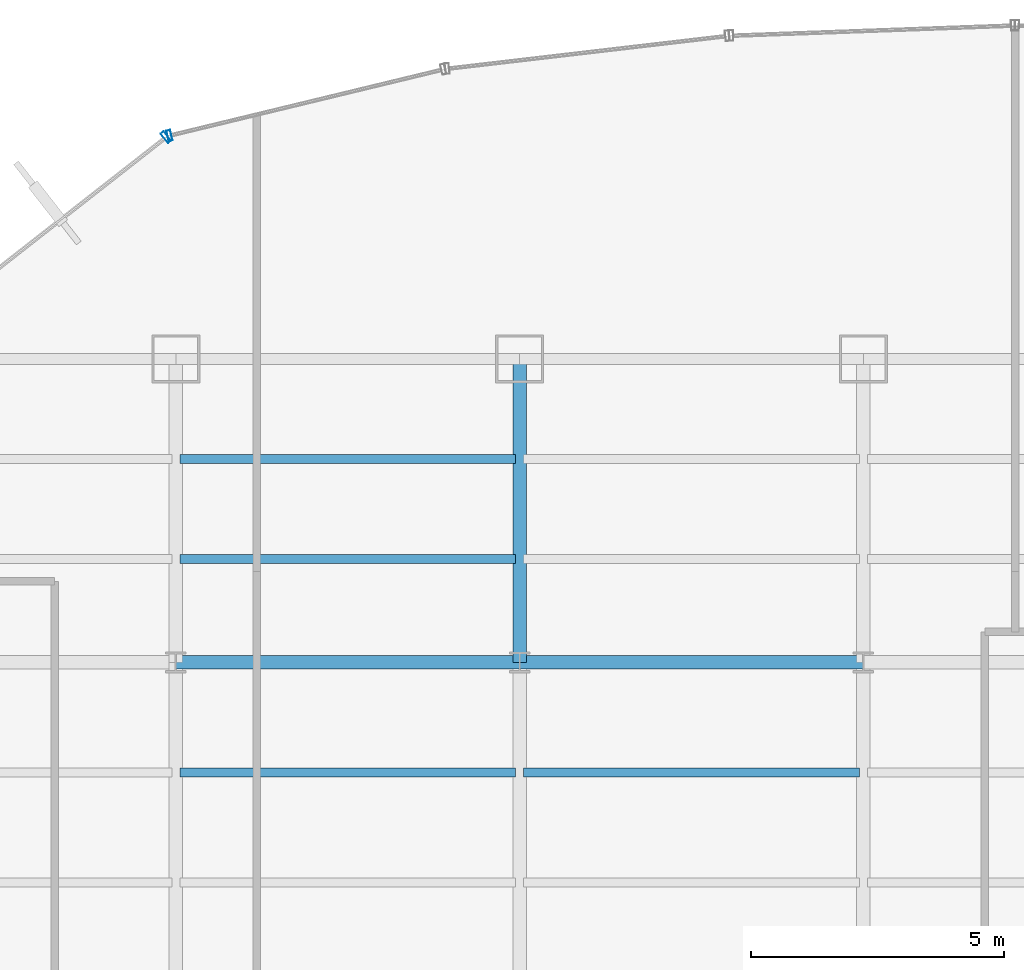
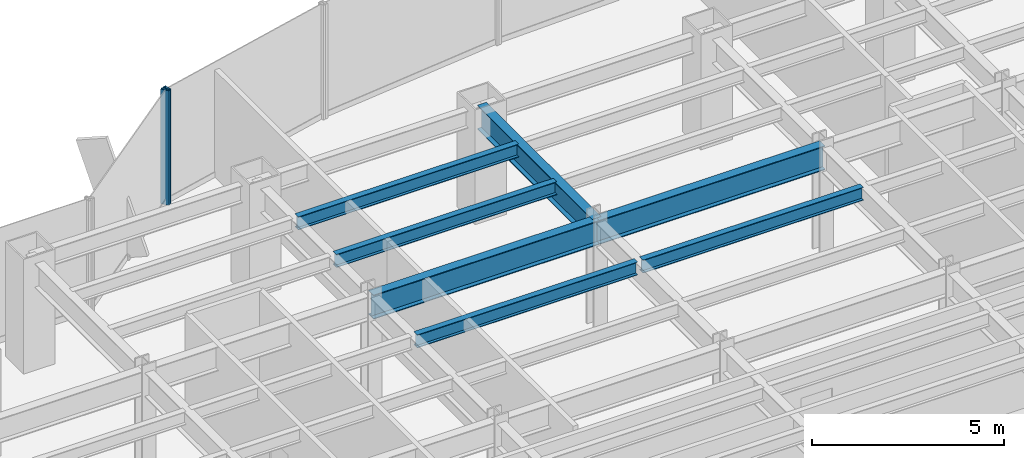
# One storey, part 11 of 23: 7 beams, 2 members, 2 elements without a shape of their own.
"""IFC4 building model written with IfcOpenShell, lengths in metres."""

from ifc_helpers import new_model, si_unit, derived_unit, direction, frame, origin, origin_2d, place, context, subcontext, project, spatial, hollow_rectangle, i_section, extrude, source, transform, mapped, material, material_profile, profile_set, type_object, element, aggregate, save


model = new_model("IFC4")

# Units and contexts
model_context = context("Model", 3, precision=1e-05, world=origin(), true_north=direction((0.0, 1.0)))
body_context = subcontext(model_context, "Body", "Model", "MODEL_VIEW")
ifc_project = project(units=[si_unit("LENGTHUNIT", "METRE"), si_unit("AREAUNIT", "SQUARE_METRE"), si_unit("VOLUMEUNIT", "CUBIC_METRE"), si_unit("PLANEANGLEUNIT", "RADIAN"), si_unit("MASSUNIT", "GRAM", prefix="KILO"), derived_unit("THERMALTRANSMITTANCEUNIT", [(si_unit("POWERUNIT", "WATT"), 1), (si_unit("LENGTHUNIT", "METRE"), -2), (si_unit("THERMODYNAMICTEMPERATUREUNIT", "KELVIN"), -1)])], contexts=[model_context])

# Site, building, storey
site_placement = place(None, origin())
site = spatial("IfcSite", under=ifc_project, at=site_placement, CompositionType="ELEMENT")
building_placement = place(site_placement, origin())
building = spatial("IfcBuilding", under=site, at=building_placement, Name="Skarnbrae Concourse Arena and Tower", CompositionType="ELEMENT")
storey_placement = place(building_placement, frame((0.0, 0.0, 43.449951171875)))
storey = spatial("IfcBuildingStorey", under=building, at=storey_placement, Name="L09", CompositionType="ELEMENT", Elevation=43.449951171875)

# Beams
ifc_material_1 = material(Name="Steel CSA G40.21 350W", Category="steel")
ifc_material_profile_1 = material_profile(ifc_material_1, i_section(OverallWidth=0.26806640625, OverallDepth=0.77001953125, WebThickness=0.015625, FlangeThickness=0.025390625, at=origin_2d()), Name="W760X196")
ifc_profile_set_1 = profile_set([ifc_material_profile_1], Name="Steel CSA G40.21 350W")
beam_type_1 = type_object("IfcBeamType", Name="BM-GIRD-W760X196", PredefinedType="BEAM", material=ifc_profile_set_1)
shared_shape_1 = source(origin(), body_context, "Body", "SweptSolid", [
    extrude(i_section(OverallWidth=0.26806640625, OverallDepth=0.77001953125, WebThickness=0.015625, FlangeThickness=0.025390625, at=origin_2d()), origin(), (0.0, 0.0, 1.0), 6.800048828125),
])
for number, where, z_axis, x_axis, name in (
    (1, (14.39990234375, 34.39990234375, 3.01513671875), (1.0, 0.0, 0.0), (0.0, 1.0, 0.0), "L09 Primary E-W girder Y34.4-3"),
    (2, (21.199951171875, 34.39990234375, 3.01513671875), (1.0, 0.0, 0.0), (0.0, 1.0, 0.0), "L09 Primary E-W girder Y34.4-4"),
):
    element("IfcBeam", number, at=place(storey_placement, frame(where, z_axis=z_axis, x_axis=x_axis)), inside=storey, type_object=beam_type_1, Name=name, PredefinedType="BEAM", context=body_context, shape_type="MappedRepresentation", body=[
        mapped(shared_shape_1, transform((0.0, 0.0, 0.0))),
    ])
shared_shape_2 = source(origin(), body_context, "Body", "SweptSolid", [
    extrude(i_section(OverallWidth=0.26806640625, OverallDepth=0.77001953125, WebThickness=0.015625, FlangeThickness=0.025390625, at=origin_2d()), origin(), (0.0, 0.0, 1.0), 6.0),
])
beam_1_placement = place(storey_placement, frame((21.199951171875, 34.39990234375, 3.01513671875), z_axis=(0.0, 1.0, 0.0), x_axis=(-1.0, 0.0, 0.0)))
element("IfcBeam", 3, at=beam_1_placement, inside=storey, type_object=beam_type_1, Name="L09 Primary N-S girder X21.2-4", PredefinedType="BEAM", context=body_context, shape_type="MappedRepresentation", body=[
    mapped(shared_shape_2, transform((0.0, 0.0, 0.0))),
])
ifc_material_profile_2 = material_profile(ifc_material_1, i_section(OverallWidth=0.180908203125, OverallDepth=0.4169921875, WebThickness=0.010986328125, FlangeThickness=0.018310546875, at=origin_2d()), Name="W410X85")
ifc_profile_set_2 = profile_set([ifc_material_profile_2], Name="Steel CSA G40.21 350W")
beam_type_2 = type_object("IfcBeamType", Name="BM-JOIST-W410X85", PredefinedType="JOIST", material=ifc_profile_set_2)
shared_shape_3 = source(origin(), body_context, "Body", "SweptSolid", [
    extrude(i_section(OverallWidth=0.180908203125, OverallDepth=0.4169921875, WebThickness=0.010986328125, FlangeThickness=0.018310546875, at=origin_2d()), origin(), (0.0, 0.0, 1.0), 6.64013671875),
])
for number, where, z_axis, x_axis, name in (
    (4, (14.47998046875, 32.221923828125, 3.191650390625), (1.0, 0.0, 0.0), (0.0, 1.0, 0.0), "L09 Secondary floor joist 3.2.3"),
    (5, (14.47998046875, 36.43994140625, 3.191650390625), (1.0, 0.0, 0.0), (0.0, 1.0, 0.0), "L09 Secondary floor joist 4.1.2"),
    (6, (14.47998046875, 38.419921875, 3.191650390625), (1.0, 0.0, 0.0), (0.0, 1.0, 0.0), "L09 Secondary floor joist 4.2.2"),
):
    element("IfcBeam", number, at=place(storey_placement, frame(where, z_axis=z_axis, x_axis=x_axis)), inside=storey, type_object=beam_type_2, Name=name, PredefinedType="JOIST", context=body_context, shape_type="MappedRepresentation", body=[
        mapped(shared_shape_3, transform((0.0, 0.0, 0.0))),
    ])
shared_shape_4 = source(origin(), body_context, "Body", "SweptSolid", [
    extrude(i_section(OverallWidth=0.180908203125, OverallDepth=0.4169921875, WebThickness=0.010986328125, FlangeThickness=0.018310546875, at=origin_2d()), origin(), (0.0, 0.0, 1.0), 6.639892578125),
])
beam_2_placement = place(storey_placement, frame((21.280029296875, 32.221923828125, 3.191650390625), z_axis=(1.0, 0.0, 0.0), x_axis=(0.0, 1.0, 0.0)))
element("IfcBeam", 7, at=beam_2_placement, inside=storey, type_object=beam_type_2, Name="L09 Secondary floor joist 3.2.4", PredefinedType="JOIST", context=body_context, shape_type="MappedRepresentation", body=[
    mapped(shared_shape_4, transform((0.0, 0.0, 0.0))),
])

# Curtain wall, member
ifc_material_2 = material(Name="Bronze anodised aluminium 6063-T6", Category="aluminium")
curtain_wall_type_1 = type_object("IfcCurtainWallType", Name="CW-SYS-02-LOWZONE", PredefinedType="USERDEFINED", material=ifc_material_2)
curtain_wall_1_placement = place(storey_placement, origin())
curtain_wall_1 = element("IfcCurtainWall", 8, at=curtain_wall_1_placement, inside=storey, type_object=curtain_wall_type_1, Name="L09 Unitised curtain wall CW-L09-E15", ObjectType="UNITISED CURTAIN WALL", PredefinedType="USERDEFINED")
ifc_material_profile_3 = material_profile(ifc_material_2, hollow_rectangle(XDim=0.080078125, YDim=0.239990234375, WallThickness=0.0048828125, at=origin_2d()), Name="ALU-MULL-80X240")
ifc_profile_set_3 = profile_set([ifc_material_profile_3], Name="Bronze anodised aluminium 6063-T6")
member_type_1 = type_object("IfcMemberType", Name="CWM-CW-02", PredefinedType="MULLION", material=ifc_profile_set_3)
shared_shape_5 = source(origin(), body_context, "Body", "SweptSolid", [
    extrude(hollow_rectangle(XDim=0.080078125, YDim=0.239990234375, WallThickness=0.0048828125, at=origin_2d()), origin(), (0.0, 0.0, 1.0), 3.650146484375),
])
member_1_placement = place(storey_placement, frame((14.2021484375, 44.787109375, 0.0), z_axis=(0.0, 0.0, 1.0), x_axis=(-0.787651726054, -0.616120733658, 0.0)))
member_1 = element("IfcMember", 9, at=member_1_placement, type_object=member_type_1, Name="CW-L09-E15 Mullion 1", PredefinedType="MULLION", context=body_context, shape_type="MappedRepresentation", body=[
    mapped(shared_shape_5, transform((0.0, 0.0, 0.0))),
])
aggregate(curtain_wall_1, [member_1])

curtain_wall_type_2 = type_object("IfcCurtainWallType", Name="CW-SYS-03-PORTAL", PredefinedType="USERDEFINED", material=ifc_material_2)
curtain_wall_2_placement = place(storey_placement, origin())
curtain_wall_2 = element("IfcCurtainWall", 10, at=curtain_wall_2_placement, inside=storey, type_object=curtain_wall_type_2, Name="L09 Unitised curtain wall CW-L09-E14", ObjectType="UNITISED CURTAIN WALL", PredefinedType="USERDEFINED")
ifc_material_profile_4 = material_profile(ifc_material_2, hollow_rectangle(XDim=0.080078125, YDim=0.2099609375, WallThickness=0.00439453125, at=origin_2d()), Name="ALU-MULL-80X210")
ifc_profile_set_4 = profile_set([ifc_material_profile_4], Name="Bronze anodised aluminium 6063-T6")
member_type_2 = type_object("IfcMemberType", Name="CWM-CW-03", PredefinedType="MULLION", material=ifc_profile_set_4)
shared_shape_6 = source(origin(), body_context, "Body", "SweptSolid", [
    extrude(hollow_rectangle(XDim=0.080078125, YDim=0.2099609375, WallThickness=0.00439453125, at=origin_2d()), origin(), (0.0, 0.0, 1.0), 3.650146484375),
])
member_2_placement = place(storey_placement, frame((14.272705078125, 44.821044921875, 0.0), z_axis=(0.0, 0.0, 1.0), x_axis=(-0.971973721569, -0.235089524607, 0.0)))
member_2 = element("IfcMember", 11, at=member_2_placement, type_object=member_type_2, Name="CW-L09-E14 Mullion 2", PredefinedType="MULLION", context=body_context, shape_type="MappedRepresentation", body=[
    mapped(shared_shape_6, transform((0.0, 0.0, 0.0))),
])
aggregate(curtain_wall_2, [member_2])

save(model, "model.ifc")
